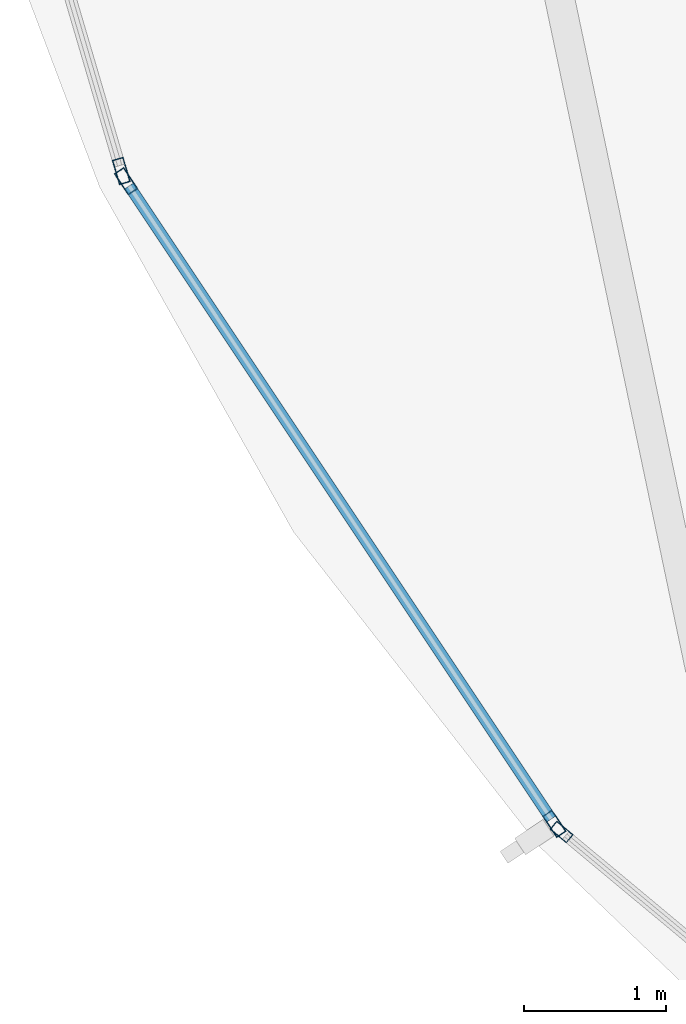
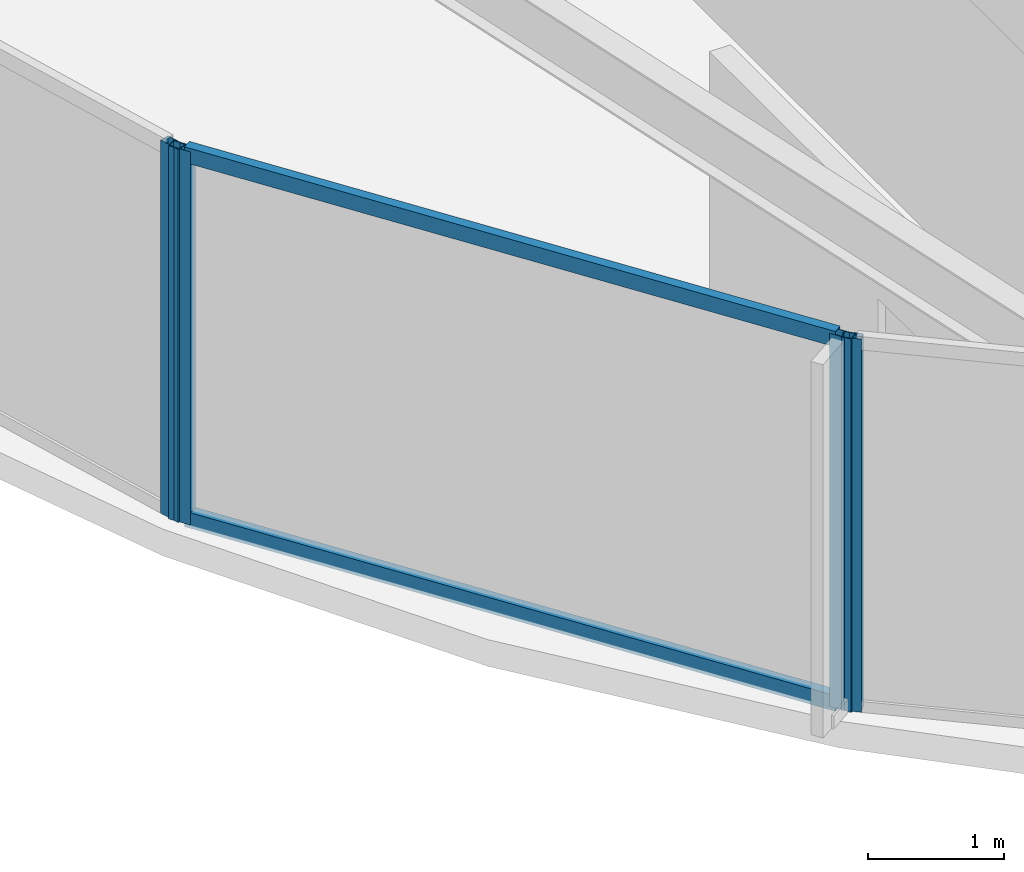
# One storey, part 3 of 31: 6 members, 3 elements without a shape of their own.
"""IFC4 building model written with IfcOpenShell, lengths in metres."""

import ifcopenshell
import ifcopenshell.guid

model = None  # the IFC model being written
_history = None  # IfcOwnerHistory: only IFC2X3 demands one
_inside = {}  # id of a spatial element -> (the spatial element, [elements in it])
_under = {}  # id of a project, library or spatial element -> (it, [spatial elements below it])
_declared = {}  # id of a project -> (the project, [libraries it declares])
_typed = {}  # id of a type object -> (the type object, [elements of that type])
_made_of = {}  # id of a material, layer set ... -> (it, [elements and type objects made of it])


def new_model(schema):
    """Start an empty IFC model of exactly this schema.

    Asked for "IFC4X3", IfcOpenShell would pick the latest addendum, in which some entities
    have other attributes; the version numbers below select the first issue.
    IFC2X3 requires an IfcOwnerHistory on every rooted entity: one is made here for all.
    """
    global model, _history
    if schema == "IFC4X3":
        model = ifcopenshell.file(schema_version=(4, 3, 0, 0))
    else:
        model = ifcopenshell.file(schema=schema)
    _inside.clear()
    _under.clear()
    _declared.clear()
    _typed.clear()
    _made_of.clear()
    _history = None
    if model.schema == "IFC2X3":
        org = make("IfcOrganization", Name="unknown")
        user = make(
            "IfcPersonAndOrganization",
            ThePerson=make("IfcPerson", FamilyName="unknown"),
            TheOrganization=org,
        )
        app = make(
            "IfcApplication",
            ApplicationDeveloper=org,
            Version="unknown",
            ApplicationFullName="unknown",
            ApplicationIdentifier="unknown",
        )
        _history = make(
            "IfcOwnerHistory",
            OwningUser=user,
            OwningApplication=app,
            ChangeAction="ADDED",
            CreationDate=0,
        )
    return model


def make(cls, **values):
    """One entity of the class cls with the attributes given. An attribute that is None is left unset."""
    return model.create_entity(
        cls, **{name: value for name, value in values.items() if value is not None}
    )


def rooted(cls, **values):
    """An entity with a GlobalId (a new one), such as an element, a storey or a relation."""
    return make(cls, GlobalId=ifcopenshell.guid.new(), OwnerHistory=_history, **values)


def si_unit(unit_type, name, prefix=None):
    """IfcSIUnit, for example si_unit("LENGTHUNIT", "METRE", prefix="MILLI")."""
    return make("IfcSIUnit", UnitType=unit_type, Prefix=prefix, Name=name)


def assignment(units):
    """IfcUnitAssignment: the units of a project."""
    return None if units is None else make("IfcUnitAssignment", Units=units)


def point(xyz):
    """IfcCartesianPoint."""
    return None if xyz is None else make("IfcCartesianPoint", Coordinates=xyz)


def direction(xyz):
    """IfcDirection."""
    return None if xyz is None else make("IfcDirection", DirectionRatios=xyz)


def frame(location, z_axis=None, x_axis=None):
    """IfcAxis2Placement3D, a coordinate frame: its origin and axes. An axis left out is left unset."""
    return make(
        "IfcAxis2Placement3D",
        Location=point(location),
        Axis=direction(z_axis),
        RefDirection=direction(x_axis),
    )


def frame_2d(location, x_axis=None):
    """IfcAxis2Placement2D, a coordinate frame in the plane: its origin and x axis."""
    return make(
        "IfcAxis2Placement2D", Location=point(location), RefDirection=direction(x_axis)
    )


def origin():
    """The frame at (0, 0, 0) with its axes left unset."""
    return frame((0.0, 0.0, 0.0))


def origin_2d():
    """The frame at (0, 0) in the plane with its x axis left unset."""
    return frame_2d((0.0, 0.0))


def place(relative_to, where):
    """IfcLocalPlacement: puts the frame where relative to a parent placement (None: the world)."""
    return make(
        "IfcLocalPlacement", PlacementRelTo=relative_to, RelativePlacement=where
    )


def context(
    kind, dimensions, precision=None, world=None, true_north=None, identifier=None
):
    """IfcGeometricRepresentationContext, for example the 3D "Model" context."""
    return make(
        "IfcGeometricRepresentationContext",
        ContextIdentifier=identifier,
        ContextType=kind,
        CoordinateSpaceDimension=dimensions,
        Precision=precision,
        WorldCoordinateSystem=world,
        TrueNorth=true_north,
    )


def subcontext(parent, identifier, kind, view, scale=None):
    """IfcGeometricRepresentationSubContext, for example "Body" below "Model"."""
    return make(
        "IfcGeometricRepresentationSubContext",
        ContextIdentifier=identifier,
        ContextType=kind,
        ParentContext=parent,
        TargetScale=scale,
        TargetView=view,
    )


def project(units=None, contexts=None):
    """IfcProject with its units and contexts."""
    return rooted(
        "IfcProject",
        Name="project",
        RepresentationContexts=contexts,
        UnitsInContext=assignment(units),
    )


def spatial(cls, under=None, at=None, **own):
    """A site, building, storey or space (cls), placed at a placement, below another one or the project."""
    s = rooted(cls, ObjectPlacement=at, **own)
    if under is not None:
        _under.setdefault(under.id(), (under, []))[1].append(s)
    return s


def profile(cls, at=None, kind="AREA", **sizes):
    """A parametric profile (cls). Its sizes go by their IFC names, for example OverallWidth=200.0."""
    return make(cls, ProfileType=kind, Position=at, **sizes)


def hollow_rectangle(**sizes):
    """IfcRectangleHollowProfileDef."""
    return profile("IfcRectangleHollowProfileDef", **sizes)


def extrude(swept, where, along, depth):
    """IfcExtrudedAreaSolid: the profile swept, set in the frame where, extruded along a direction by depth."""
    return make(
        "IfcExtrudedAreaSolid",
        SweptArea=swept,
        Position=where,
        ExtrudedDirection=direction(along),
        Depth=depth,
    )


def shape(context_of_items, identifier, shape_type, items):
    """IfcShapeRepresentation: the items that make up one representation, for example the "Body"."""
    return make(
        "IfcShapeRepresentation",
        ContextOfItems=context_of_items,
        RepresentationIdentifier=identifier,
        RepresentationType=shape_type,
        Items=items,
    )


def material(Name=None, Category=None):
    """IfcMaterial."""
    return make("IfcMaterial", Name=Name, Category=Category)


def layer(
    of_material, thickness, ventilated=None, Name=None, Category=None, Priority=None
):
    """IfcMaterialLayer: one layer of a wall or slab, of a material (None: an air gap)."""
    return make(
        "IfcMaterialLayer",
        Material=of_material,
        LayerThickness=thickness,
        IsVentilated=ventilated,
        Name=Name,
        Category=Category,
        Priority=Priority,
    )


def layer_set(layers, Name=None):
    """IfcMaterialLayerSet."""
    return make("IfcMaterialLayerSet", MaterialLayers=layers, LayerSetName=Name)


def material_profile(
    of_material, cross_section, Name=None, Category=None, Priority=None
):
    """IfcMaterialProfile: a cross section and its material."""
    return make(
        "IfcMaterialProfile",
        Name=Name,
        Material=of_material,
        Profile=cross_section,
        Priority=Priority,
        Category=Category,
    )


def profile_set(profiles, Name=None, composite=None):
    """IfcMaterialProfileSet."""
    return make(
        "IfcMaterialProfileSet",
        Name=Name,
        MaterialProfiles=profiles,
        CompositeProfile=composite,
    )


def made_of(thing, what):
    """Note that an element or type object is made of a material, layer set ...; save() writes the relation."""
    if what is not None:
        _made_of.setdefault(what.id(), (what, []))[1].append(thing)
    return thing


def type_object(cls, material=None, **own):
    """A type object (cls), such as IfcWallType, which elements share."""
    return made_of(rooted(cls, **own), material)


def element(
    cls,
    number,
    at=None,
    inside=None,
    cuts=None,
    type_object=None,
    material=None,
    context=None,
    identifier="Body",
    shape_type=None,
    held_by="IfcProductDefinitionShape",
    body=None,
    shapes=None,
    **own,
):
    """One element of the class cls, such as IfcWall. Its Tag is "e" and its number.

    at: its placement. inside: the storey or other place that contains it. cuts: it is an
    opening in that element (IfcRelVoidsElement). A single representation is given by context,
    identifier, shape_type and body (its items); several are given by shapes. held_by: the class
    of the entity that holds the representations. save() writes the other relations.
    """
    e = rooted(cls, Tag="e%d" % number, ObjectPlacement=at, **own)
    if body is not None:
        shapes = [shape(context, identifier, shape_type, body)]
    if shapes is not None:
        e.Representation = make(held_by, Representations=shapes)
    if inside is not None:
        _inside.setdefault(inside.id(), (inside, []))[1].append(e)
    if cuts is not None:
        rooted(
            "IfcRelVoidsElement", RelatingBuildingElement=cuts, RelatedOpeningElement=e
        )
    if type_object is not None:
        _typed.setdefault(type_object.id(), (type_object, []))[1].append(e)
    return made_of(e, material)


def aggregate(whole, parts):
    """IfcRelAggregates: a whole, such as a stair, and the parts it consists of."""
    return rooted("IfcRelAggregates", RelatingObject=whole, RelatedObjects=parts)


def save(model, path):
    """Write the relations noted so far, then the file.

    IfcRelAggregates (storeys below a building ...), IfcRelContainedInSpatialStructure (elements
    in a storey), IfcRelDefinesByType, IfcRelAssociatesMaterial and IfcRelDeclares: one each for
    every whole, place, type object, material and project.
    """
    for whole, parts in _under.values():
        aggregate(whole, parts)
    for where, things in _inside.values():
        rooted(
            "IfcRelContainedInSpatialStructure",
            RelatedElements=things,
            RelatingStructure=where,
        )
    for kind, things in _typed.values():
        rooted("IfcRelDefinesByType", RelatedObjects=things, RelatingType=kind)
    for what, things in _made_of.values():
        rooted("IfcRelAssociatesMaterial", RelatedObjects=things, RelatingMaterial=what)
    for by, libraries in _declared.values():
        rooted("IfcRelDeclares", RelatingContext=by, RelatedDefinitions=libraries)
    model.write(path)


model = new_model("IFC4")

# Units and contexts
model_context = context("Model", 3, precision=1e-05, world=origin(), true_north=direction((0.0, 1.0)))
body_context = subcontext(model_context, "Body", "Model", "MODEL_VIEW")
ifc_project = project(units=[si_unit("LENGTHUNIT", "METRE"), si_unit("AREAUNIT", "SQUARE_METRE"), si_unit("VOLUMEUNIT", "CUBIC_METRE"), si_unit("PLANEANGLEUNIT", "RADIAN"), si_unit("MASSUNIT", "GRAM", prefix="KILO")], contexts=[model_context])

# Site, building, storey
site_placement = place(None, origin())
site = spatial("IfcSite", under=ifc_project, at=site_placement, CompositionType="ELEMENT")
building_placement = place(site_placement, origin())
building = spatial("IfcBuilding", under=site, at=building_placement, Name="Kazevale Care Tower and Concert Hall", CompositionType="ELEMENT")
storey_placement = place(building_placement, frame((0.0, 0.0, 210.0)))
storey = spatial("IfcBuildingStorey", under=building, at=storey_placement, Name="L55", CompositionType="ELEMENT", Elevation=210.0)

# Curtain wall, members
ifc_material_1 = material(Name="Aluminium 6063-T6 and Low-E Glass", Category="aluminium")
ifc_layer_1 = layer(ifc_material_1, 0.179931640625)
ifc_layer_set_1 = layer_set([ifc_layer_1], Name="Aluminium 6063-T6 and Low-E Glass")
curtain_wall_type_1 = type_object("IfcCurtainWallType", Name="Waist & Upper Residential Curtain Wall CW-4", PredefinedType="NOTDEFINED", material=ifc_layer_set_1)
curtain_wall_1_placement = place(storey_placement, origin())
curtain_wall_1 = element("IfcCurtainWall", 1, at=curtain_wall_1_placement, inside=storey, type_object=curtain_wall_type_1, Name="cw:L55:f11", PredefinedType="NOTDEFINED")
ifc_material_2 = material(Name="Aluminium 6063-T6", Category="aluminium")
ifc_material_profile_1 = material_profile(ifc_material_2, hollow_rectangle(XDim=0.080078125, YDim=0.179931640625, WallThickness=0.0048828125, at=origin_2d()), Name="ALU80x180x5")
ifc_profile_set_1 = profile_set([ifc_material_profile_1], Name="Aluminium 6063-T6")
member_type_1 = type_object("IfcMemberType", Name="CW-4 Mullion ALU80x180x5", PredefinedType="MULLION", material=ifc_profile_set_1)
member_1_placement = place(storey_placement, frame((18.185791015625, 25.26318359375, 0.0), z_axis=(0.0, 0.0, 1.0), x_axis=(-0.832106058512, -0.554616540853, 0.0)))
member_1 = element("IfcMember", 2, at=member_1_placement, type_object=member_type_1, Name="CW-4 mullion 1", PredefinedType="MULLION", context=body_context, shape_type="SweptSolid", body=[
    extrude(hollow_rectangle(XDim=0.080078125, YDim=0.179931640625, WallThickness=0.0048828125, at=origin_2d()), origin(), (0.0, 0.0, 1.0), 3.360107421875),
])
member_2_placement = place(storey_placement, frame((15.170166015625, 29.78759765625, 0.0), z_axis=(0.0, 0.0, 1.0), x_axis=(-0.832106058512, -0.554616540853, 0.0)))
member_2 = element("IfcMember", 3, at=member_2_placement, type_object=member_type_1, Name="CW-4 mullion 2", PredefinedType="MULLION", context=body_context, shape_type="SweptSolid", body=[
    extrude(hollow_rectangle(XDim=0.080078125, YDim=0.179931640625, WallThickness=0.0048828125, at=origin_2d()), origin(), (0.0, 0.0, 1.0), 3.360107421875),
])

# Curtain wall, member
curtain_wall_2_placement = place(storey_placement, origin())
curtain_wall_2 = element("IfcCurtainWall", 4, at=curtain_wall_2_placement, inside=storey, type_object=curtain_wall_type_1, Name="cw:L55:f12", PredefinedType="NOTDEFINED")
member_3_placement = place(storey_placement, frame((15.13671875, 29.859375, 0.0), z_axis=(0.0, 0.0, 1.0), x_axis=(-0.959385539982, -0.282098184457, 0.0)))
member_3 = element("IfcMember", 5, at=member_3_placement, type_object=member_type_1, Name="CW-4 mullion 1", PredefinedType="MULLION", context=body_context, shape_type="SweptSolid", body=[
    extrude(hollow_rectangle(XDim=0.080078125, YDim=0.179931640625, WallThickness=0.0048828125, at=origin_2d()), origin(), (0.0, 0.0, 1.0), 3.360107421875),
])
aggregate(curtain_wall_2, [member_3])

# Member
ifc_material_profile_2 = material_profile(ifc_material_2, hollow_rectangle(XDim=0.080078125, YDim=0.139892578125, WallThickness=0.00390625, at=origin_2d()), Name="ALU80x140x4")
ifc_profile_set_2 = profile_set([ifc_material_profile_2], Name="Aluminium 6063-T6")
member_type_2 = type_object("IfcMemberType", Name="CW-4 Transom ALU80x140x4", PredefinedType="USERDEFINED", material=ifc_profile_set_2)
member_4_placement = place(storey_placement, frame((18.16357421875, 25.296630859375, 0.0400390625), z_axis=(-0.554616059735, 0.832106379187, 0.0), x_axis=(-0.832106379187, -0.554616059735, 0.0)))
member_4 = element("IfcMember", 6, at=member_4_placement, type_object=member_type_2, Name="CW-4 transom 1.1", ObjectType="TRANSOM", PredefinedType="USERDEFINED", context=body_context, shape_type="SweptSolid", body=[
    extrude(hollow_rectangle(XDim=0.080078125, YDim=0.139892578125, WallThickness=0.00390625, at=origin_2d()), origin(), (0.0, 0.0, 1.0), 5.357177734375),
])

member_5_placement = place(storey_placement, frame((18.16357421875, 25.296630859375, 3.320068359375), z_axis=(-0.554616059735, 0.832106379187, 0.0), x_axis=(-0.832106379187, -0.554616059735, 0.0)))
member_5 = element("IfcMember", 7, at=member_5_placement, type_object=member_type_2, Name="CW-4 transom 1.2", ObjectType="TRANSOM", PredefinedType="USERDEFINED", context=body_context, shape_type="SweptSolid", body=[
    extrude(hollow_rectangle(XDim=0.080078125, YDim=0.139892578125, WallThickness=0.00390625, at=origin_2d()), origin(), (0.0, 0.0, 1.0), 5.357177734375),
])

aggregate(curtain_wall_1, [member_1, member_2, member_4, member_5])

# Curtain wall, member
ifc_layer_2 = layer(ifc_material_1, 0.179931640625)
ifc_layer_set_2 = layer_set([ifc_layer_2], Name="Aluminium 6063-T6 and Low-E Glass")
curtain_wall_type_2 = type_object("IfcCurtainWallType", Name="Sheltered Concave Balcony Curtain Wall CW-5", PredefinedType="NOTDEFINED", material=ifc_layer_set_2)
curtain_wall_3_placement = place(storey_placement, origin())
curtain_wall_3 = element("IfcCurtainWall", 8, at=curtain_wall_3_placement, inside=storey, type_object=curtain_wall_type_2, Name="cw:L55:f10", PredefinedType="NOTDEFINED")
ifc_material_profile_3 = material_profile(ifc_material_2, hollow_rectangle(XDim=0.074951171875, YDim=0.14990234375, WallThickness=0.00390625, at=origin_2d()), Name="ALU75x150x4")
ifc_profile_set_3 = profile_set([ifc_material_profile_3], Name="Aluminium 6063-T6")
member_type_3 = type_object("IfcMemberType", Name="CW-5 Mullion ALU75x150x4", PredefinedType="MULLION", material=ifc_profile_set_3)
member_6_placement = place(storey_placement, frame((18.23681640625, 25.2060546875, 0.0), z_axis=(0.0, 0.0, 1.0), x_axis=(-0.639961217204, -0.768407210062, 0.0)))
member_6 = element("IfcMember", 9, at=member_6_placement, type_object=member_type_3, Name="CW-5 mullion 2", PredefinedType="MULLION", context=body_context, shape_type="SweptSolid", body=[
    extrude(hollow_rectangle(XDim=0.074951171875, YDim=0.14990234375, WallThickness=0.00390625, at=origin_2d()), origin(), (0.0, 0.0, 1.0), 3.360107421875),
])
aggregate(curtain_wall_3, [member_6])

save(model, "model.ifc")
